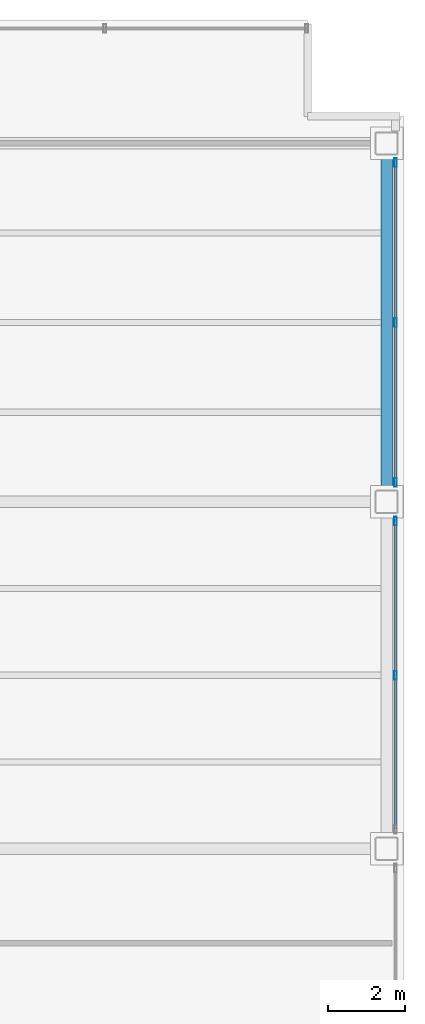
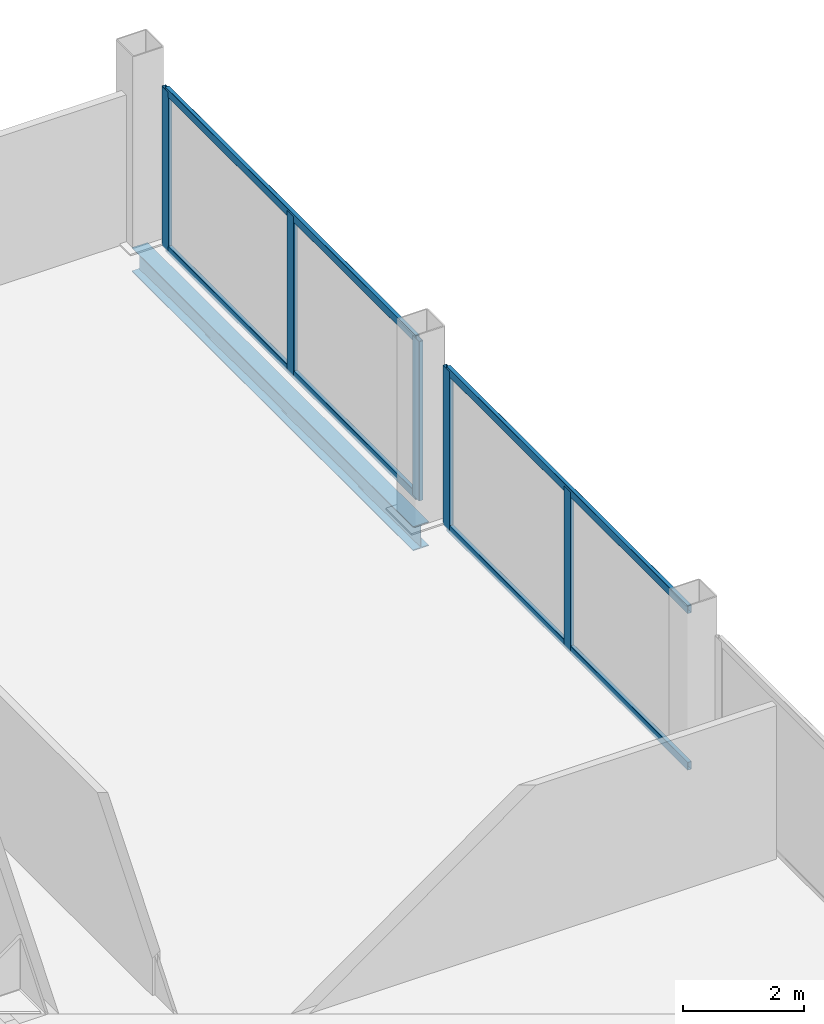
# One storey, part 13 of 22: 9 members, 1 beam, 2 elements without a shape of their own.
"""IFC4 building model written with IfcOpenShell, lengths in metres."""

from ifc_helpers import new_model, si_unit, direction, frame, origin, origin_2d, place, context, subcontext, project, spatial, hollow_rectangle, i_section, extrude, material, material_profile, profile_set, type_object, element, aggregate, save


model = new_model("IFC4")

# Units and contexts
model_context = context("Model", 3, precision=1e-05, world=origin(), true_north=direction((0.0, 1.0)))
body_context = subcontext(model_context, "Body", "Model", "MODEL_VIEW")
ifc_project = project(units=[si_unit("LENGTHUNIT", "METRE"), si_unit("AREAUNIT", "SQUARE_METRE"), si_unit("VOLUMEUNIT", "CUBIC_METRE"), si_unit("PLANEANGLEUNIT", "RADIAN"), si_unit("MASSUNIT", "GRAM", prefix="KILO")], contexts=[model_context])

# Site, building, storey
site_placement = place(None, origin())
site = spatial("IfcSite", under=ifc_project, at=site_placement, CompositionType="ELEMENT")
building_placement = place(site_placement, origin())
building = spatial("IfcBuilding", under=site, at=building_placement, Name="Noeulbin Bourse Tower", CompositionType="ELEMENT")
storey_placement = place(building_placement, frame((0.0, 0.0, 85.0)))
storey = spatial("IfcBuildingStorey", under=building, at=storey_placement, Name="L21", CompositionType="ELEMENT", Elevation=85.0)

# Beam
ifc_material_1 = material(Name="Steel S355", Category="steel")
ifc_material_profile_1 = material_profile(ifc_material_1, i_section(OverallWidth=0.300048828125, OverallDepth=0.488037109375, WebThickness=0.010986328125, FlangeThickness=0.01806640625, FilletRadius=0.02197265625, at=origin_2d()), Name="H-488x300x11x18", Category="LoadBearing")
ifc_profile_set_1 = profile_set([ifc_material_profile_1], Name="Steel S355")
beam_type = type_object("IfcBeamType", Name="BM-SPN-488", PredefinedType="SPANDREL", material=ifc_profile_set_1)
beam_placement = place(storey_placement, frame((57.050048828125, 29.0, -0.424072265625), z_axis=(0.0, 1.0, 0.0), x_axis=(-1.0, 0.0, 0.0)))
element("IfcBeam", 1, at=beam_placement, inside=storey, type_object=beam_type, Name="East Spandrel L21-2", PredefinedType="SPANDREL", context=body_context, shape_type="SweptSolid", body=[
    extrude(i_section(OverallWidth=0.300048828125, OverallDepth=0.488037109375, WebThickness=0.010986328125, FlangeThickness=0.01806640625, FilletRadius=0.02197265625, at=origin_2d()), origin(), (0.0, 0.0, 1.0), 9.300048828125),
])

# Curtain wall, members
ifc_material_2 = material(Name="Dark Solar-Control Double Glazing", Category="glass")
curtain_wall_type = type_object("IfcCurtainWallType", Name="CW-SYS-2", PredefinedType="NOTDEFINED", material=ifc_material_2)
curtain_wall_1_placement = place(storey_placement, origin())
curtain_wall_1 = element("IfcCurtainWall", 2, at=curtain_wall_1_placement, inside=storey, type_object=curtain_wall_type, Name="Unitised Curtain Wall CW-L21-E-S2", PredefinedType="NOTDEFINED")
ifc_material_3 = material(Name="Anodised Aluminium 6063-T6", Category="aluminium")
ifc_material_profile_2 = material_profile(ifc_material_3, hollow_rectangle(XDim=0.074951171875, YDim=0.219970703125, WallThickness=0.0048828125, InnerFilletRadius=0.00244140625, OuterFilletRadius=0.0048828125, at=origin_2d()), Name="ALU-MULL-75x220x5", Category="LoadBearing")
ifc_profile_set_2 = profile_set([ifc_material_profile_2], Name="Anodised Aluminium 6063-T6")
member_type_1 = type_object("IfcMemberType", Name="CW-SYS-2-MUL", PredefinedType="MULLION", material=ifc_profile_set_2)
member_1_placement = place(storey_placement, frame((57.280029296875, 24.5, -0.02001953125), z_axis=(0.0, 0.0, 1.0), x_axis=(1.0, 0.0, 0.0)))
member_1 = element("IfcMember", 3, at=member_1_placement, type_object=member_type_1, Name="Curtain Wall Mullion CW-L21-E-S2-M01", PredefinedType="MULLION", context=body_context, shape_type="SweptSolid", body=[
    extrude(hollow_rectangle(XDim=0.074951171875, YDim=0.219970703125, WallThickness=0.0048828125, InnerFilletRadius=0.00244140625, OuterFilletRadius=0.0048828125, at=origin_2d()), origin(), (0.0, 0.0, 1.0), 3.219970703125),
])
member_2_placement = place(storey_placement, frame((57.280029296875, 28.5, -0.02001953125), z_axis=(0.0, 0.0, 1.0), x_axis=(1.0, 0.0, 0.0)))
member_2 = element("IfcMember", 4, at=member_2_placement, type_object=member_type_1, Name="Curtain Wall Mullion CW-L21-E-S2-M02", PredefinedType="MULLION", context=body_context, shape_type="SweptSolid", body=[
    extrude(hollow_rectangle(XDim=0.074951171875, YDim=0.219970703125, WallThickness=0.0048828125, InnerFilletRadius=0.00244140625, OuterFilletRadius=0.0048828125, at=origin_2d()), origin(), (0.0, 0.0, 1.0), 3.219970703125),
])

curtain_wall_2_placement = place(storey_placement, origin())
curtain_wall_2 = element("IfcCurtainWall", 5, at=curtain_wall_2_placement, inside=storey, type_object=curtain_wall_type, Name="Unitised Curtain Wall CW-L21-E-S3", PredefinedType="NOTDEFINED")
member_3_placement = place(storey_placement, frame((57.280029296875, 29.5, -0.02001953125), z_axis=(0.0, 0.0, 1.0), x_axis=(1.0, 0.0, 0.0)))
member_3 = element("IfcMember", 6, at=member_3_placement, type_object=member_type_1, Name="Curtain Wall Mullion CW-L21-E-S3-M00", PredefinedType="MULLION", context=body_context, shape_type="SweptSolid", body=[
    extrude(hollow_rectangle(XDim=0.074951171875, YDim=0.219970703125, WallThickness=0.0048828125, InnerFilletRadius=0.00244140625, OuterFilletRadius=0.0048828125, at=origin_2d()), origin(), (0.0, 0.0, 1.0), 3.219970703125),
])
member_4_placement = place(storey_placement, frame((57.280029296875, 33.64990234375, -0.02001953125), z_axis=(0.0, 0.0, 1.0), x_axis=(1.0, 0.0, 0.0)))
member_4 = element("IfcMember", 7, at=member_4_placement, type_object=member_type_1, Name="Curtain Wall Mullion CW-L21-E-S3-M01", PredefinedType="MULLION", context=body_context, shape_type="SweptSolid", body=[
    extrude(hollow_rectangle(XDim=0.074951171875, YDim=0.219970703125, WallThickness=0.0048828125, InnerFilletRadius=0.00244140625, OuterFilletRadius=0.0048828125, at=origin_2d()), origin(), (0.0, 0.0, 1.0), 3.219970703125),
])
member_5_placement = place(storey_placement, frame((57.280029296875, 37.800048828125, -0.02001953125), z_axis=(0.0, 0.0, 1.0), x_axis=(1.0, 0.0, 0.0)))
member_5 = element("IfcMember", 8, at=member_5_placement, type_object=member_type_1, Name="Curtain Wall Mullion CW-L21-E-S3-M02", PredefinedType="MULLION", context=body_context, shape_type="SweptSolid", body=[
    extrude(hollow_rectangle(XDim=0.074951171875, YDim=0.219970703125, WallThickness=0.0048828125, InnerFilletRadius=0.00244140625, OuterFilletRadius=0.0048828125, at=origin_2d()), origin(), (0.0, 0.0, 1.0), 3.219970703125),
])

# Member
ifc_material_profile_3 = material_profile(ifc_material_3, hollow_rectangle(XDim=0.074951171875, YDim=0.159912109375, WallThickness=0.0048828125, InnerFilletRadius=0.00244140625, OuterFilletRadius=0.0048828125, at=origin_2d()), Name="ALU-TRAN-75x160x5", Category="LoadBearing")
ifc_profile_set_3 = profile_set([ifc_material_profile_3], Name="Anodised Aluminium 6063-T6")
member_type_2 = type_object("IfcMemberType", Name="CW-SYS-2-TRN", PredefinedType="USERDEFINED", material=ifc_profile_set_3)
member_6_placement = place(storey_placement, frame((57.280029296875, 20.510009765625, 0.010009765625), z_axis=(0.0, 1.0, 0.0), x_axis=(-1.0, 0.0, 0.0)))
member_6 = element("IfcMember", 9, at=member_6_placement, type_object=member_type_2, Name="Curtain Wall Transom CW-L21-E-S2-T00", ObjectType="TRANSOM", PredefinedType="USERDEFINED", context=body_context, shape_type="SweptSolid", body=[
    extrude(hollow_rectangle(XDim=0.074951171875, YDim=0.159912109375, WallThickness=0.0048828125, InnerFilletRadius=0.00244140625, OuterFilletRadius=0.0048828125, at=origin_2d()), origin(), (0.0, 0.0, 1.0), 7.97998046875),
])

member_7_placement = place(storey_placement, frame((57.280029296875, 20.510009765625, 3.169921875), z_axis=(0.0, 1.0, 0.0), x_axis=(-1.0, 0.0, 0.0)))
member_7 = element("IfcMember", 10, at=member_7_placement, type_object=member_type_2, Name="Curtain Wall Transom CW-L21-E-S2-T01", ObjectType="TRANSOM", PredefinedType="USERDEFINED", context=body_context, shape_type="SweptSolid", body=[
    extrude(hollow_rectangle(XDim=0.074951171875, YDim=0.159912109375, WallThickness=0.0048828125, InnerFilletRadius=0.00244140625, OuterFilletRadius=0.0048828125, at=origin_2d()), origin(), (0.0, 0.0, 1.0), 7.97998046875),
])

aggregate(curtain_wall_1, [member_1, member_2, member_6, member_7])

member_8_placement = place(storey_placement, frame((57.280029296875, 29.510009765625, 0.010009765625), z_axis=(0.0, 1.0, 0.0), x_axis=(-1.0, 0.0, 0.0)))
member_8 = element("IfcMember", 11, at=member_8_placement, type_object=member_type_2, Name="Curtain Wall Transom CW-L21-E-S3-T00", ObjectType="TRANSOM", PredefinedType="USERDEFINED", context=body_context, shape_type="SweptSolid", body=[
    extrude(hollow_rectangle(XDim=0.074951171875, YDim=0.159912109375, WallThickness=0.0048828125, InnerFilletRadius=0.00244140625, OuterFilletRadius=0.0048828125, at=origin_2d()), origin(), (0.0, 0.0, 1.0), 8.280029296875),
])

member_9_placement = place(storey_placement, frame((57.280029296875, 29.510009765625, 3.169921875), z_axis=(0.0, 1.0, 0.0), x_axis=(-1.0, 0.0, 0.0)))
member_9 = element("IfcMember", 12, at=member_9_placement, type_object=member_type_2, Name="Curtain Wall Transom CW-L21-E-S3-T01", ObjectType="TRANSOM", PredefinedType="USERDEFINED", context=body_context, shape_type="SweptSolid", body=[
    extrude(hollow_rectangle(XDim=0.074951171875, YDim=0.159912109375, WallThickness=0.0048828125, InnerFilletRadius=0.00244140625, OuterFilletRadius=0.0048828125, at=origin_2d()), origin(), (0.0, 0.0, 1.0), 8.280029296875),
])

aggregate(curtain_wall_2, [member_3, member_4, member_5, member_8, member_9])

save(model, "model.ifc")
